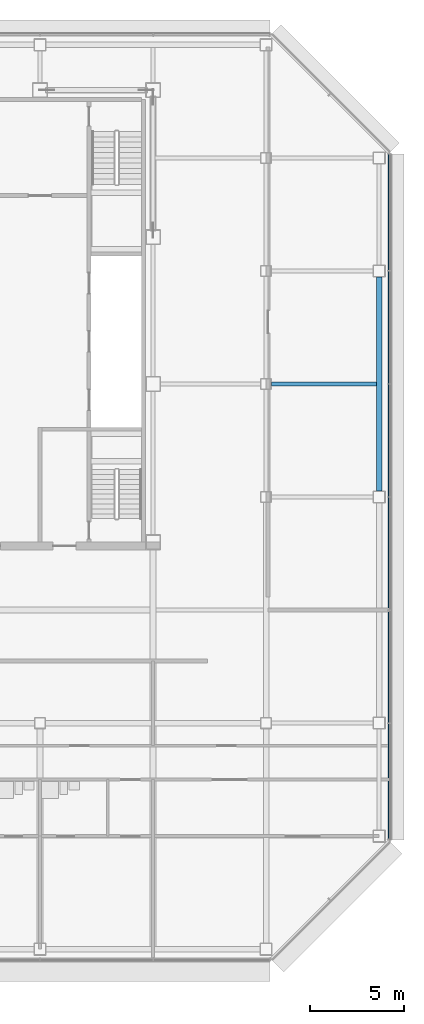
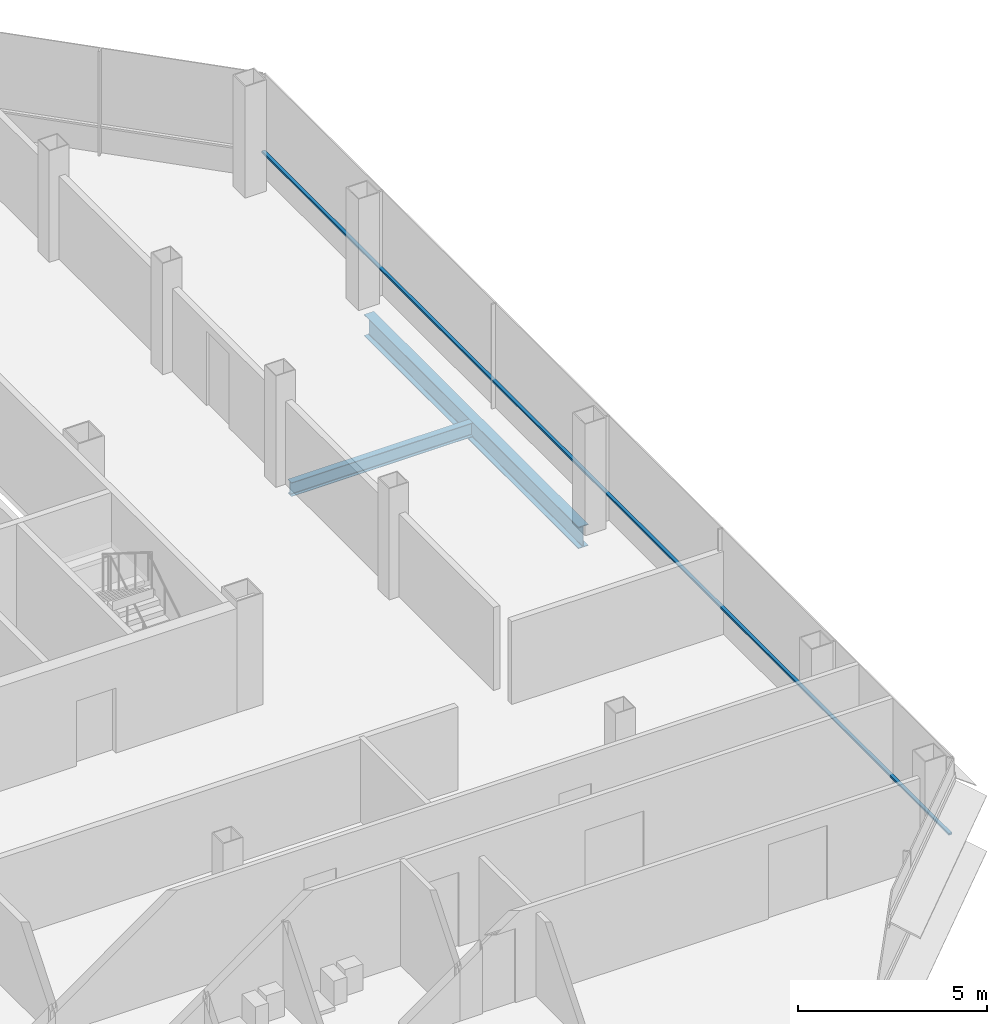
# One storey, part 17 of 27: 2 beams, 1 member, 1 element without a shape of its own.
"""IFC4 building model written with IfcOpenShell, lengths in metres."""

import ifcopenshell
import ifcopenshell.guid

model = None  # the IFC model being written
_history = None  # IfcOwnerHistory: only IFC2X3 demands one
_inside = {}  # id of a spatial element -> (the spatial element, [elements in it])
_under = {}  # id of a project, library or spatial element -> (it, [spatial elements below it])
_declared = {}  # id of a project -> (the project, [libraries it declares])
_typed = {}  # id of a type object -> (the type object, [elements of that type])
_made_of = {}  # id of a material, layer set ... -> (it, [elements and type objects made of it])


def new_model(schema):
    """Start an empty IFC model of exactly this schema.

    Asked for "IFC4X3", IfcOpenShell would pick the latest addendum, in which some entities
    have other attributes; the version numbers below select the first issue.
    IFC2X3 requires an IfcOwnerHistory on every rooted entity: one is made here for all.
    """
    global model, _history
    if schema == "IFC4X3":
        model = ifcopenshell.file(schema_version=(4, 3, 0, 0))
    else:
        model = ifcopenshell.file(schema=schema)
    _inside.clear()
    _under.clear()
    _declared.clear()
    _typed.clear()
    _made_of.clear()
    _history = None
    if model.schema == "IFC2X3":
        org = make("IfcOrganization", Name="unknown")
        user = make(
            "IfcPersonAndOrganization",
            ThePerson=make("IfcPerson", FamilyName="unknown"),
            TheOrganization=org,
        )
        app = make(
            "IfcApplication",
            ApplicationDeveloper=org,
            Version="unknown",
            ApplicationFullName="unknown",
            ApplicationIdentifier="unknown",
        )
        _history = make(
            "IfcOwnerHistory",
            OwningUser=user,
            OwningApplication=app,
            ChangeAction="ADDED",
            CreationDate=0,
        )
    return model


def make(cls, **values):
    """One entity of the class cls with the attributes given. An attribute that is None is left unset."""
    return model.create_entity(
        cls, **{name: value for name, value in values.items() if value is not None}
    )


def rooted(cls, **values):
    """An entity with a GlobalId (a new one), such as an element, a storey or a relation."""
    return make(cls, GlobalId=ifcopenshell.guid.new(), OwnerHistory=_history, **values)


def si_unit(unit_type, name, prefix=None):
    """IfcSIUnit, for example si_unit("LENGTHUNIT", "METRE", prefix="MILLI")."""
    return make("IfcSIUnit", UnitType=unit_type, Prefix=prefix, Name=name)


def assignment(units):
    """IfcUnitAssignment: the units of a project."""
    return None if units is None else make("IfcUnitAssignment", Units=units)


def point(xyz):
    """IfcCartesianPoint."""
    return None if xyz is None else make("IfcCartesianPoint", Coordinates=xyz)


def direction(xyz):
    """IfcDirection."""
    return None if xyz is None else make("IfcDirection", DirectionRatios=xyz)


def frame(location, z_axis=None, x_axis=None):
    """IfcAxis2Placement3D, a coordinate frame: its origin and axes. An axis left out is left unset."""
    return make(
        "IfcAxis2Placement3D",
        Location=point(location),
        Axis=direction(z_axis),
        RefDirection=direction(x_axis),
    )


def frame_2d(location, x_axis=None):
    """IfcAxis2Placement2D, a coordinate frame in the plane: its origin and x axis."""
    return make(
        "IfcAxis2Placement2D", Location=point(location), RefDirection=direction(x_axis)
    )


def origin():
    """The frame at (0, 0, 0) with its axes left unset."""
    return frame((0.0, 0.0, 0.0))


def origin_2d():
    """The frame at (0, 0) in the plane with its x axis left unset."""
    return frame_2d((0.0, 0.0))


def place(relative_to, where):
    """IfcLocalPlacement: puts the frame where relative to a parent placement (None: the world)."""
    return make(
        "IfcLocalPlacement", PlacementRelTo=relative_to, RelativePlacement=where
    )


def context(
    kind, dimensions, precision=None, world=None, true_north=None, identifier=None
):
    """IfcGeometricRepresentationContext, for example the 3D "Model" context."""
    return make(
        "IfcGeometricRepresentationContext",
        ContextIdentifier=identifier,
        ContextType=kind,
        CoordinateSpaceDimension=dimensions,
        Precision=precision,
        WorldCoordinateSystem=world,
        TrueNorth=true_north,
    )


def subcontext(parent, identifier, kind, view, scale=None):
    """IfcGeometricRepresentationSubContext, for example "Body" below "Model"."""
    return make(
        "IfcGeometricRepresentationSubContext",
        ContextIdentifier=identifier,
        ContextType=kind,
        ParentContext=parent,
        TargetScale=scale,
        TargetView=view,
    )


def project(units=None, contexts=None):
    """IfcProject with its units and contexts."""
    return rooted(
        "IfcProject",
        Name="project",
        RepresentationContexts=contexts,
        UnitsInContext=assignment(units),
    )


def spatial(cls, under=None, at=None, **own):
    """A site, building, storey or space (cls), placed at a placement, below another one or the project."""
    s = rooted(cls, ObjectPlacement=at, **own)
    if under is not None:
        _under.setdefault(under.id(), (under, []))[1].append(s)
    return s


def profile(cls, at=None, kind="AREA", **sizes):
    """A parametric profile (cls). Its sizes go by their IFC names, for example OverallWidth=200.0."""
    return make(cls, ProfileType=kind, Position=at, **sizes)


def rectangle(**sizes):
    """IfcRectangleProfileDef."""
    return profile("IfcRectangleProfileDef", **sizes)


def i_section(**sizes):
    """IfcIShapeProfileDef."""
    return profile("IfcIShapeProfileDef", **sizes)


def extrude(swept, where, along, depth):
    """IfcExtrudedAreaSolid: the profile swept, set in the frame where, extruded along a direction by depth."""
    return make(
        "IfcExtrudedAreaSolid",
        SweptArea=swept,
        Position=where,
        ExtrudedDirection=direction(along),
        Depth=depth,
    )


def shape(context_of_items, identifier, shape_type, items):
    """IfcShapeRepresentation: the items that make up one representation, for example the "Body"."""
    return make(
        "IfcShapeRepresentation",
        ContextOfItems=context_of_items,
        RepresentationIdentifier=identifier,
        RepresentationType=shape_type,
        Items=items,
    )


def material(Name=None, Category=None):
    """IfcMaterial."""
    return make("IfcMaterial", Name=Name, Category=Category)


def material_profile(
    of_material, cross_section, Name=None, Category=None, Priority=None
):
    """IfcMaterialProfile: a cross section and its material."""
    return make(
        "IfcMaterialProfile",
        Name=Name,
        Material=of_material,
        Profile=cross_section,
        Priority=Priority,
        Category=Category,
    )


def profile_set(profiles, Name=None, composite=None):
    """IfcMaterialProfileSet."""
    return make(
        "IfcMaterialProfileSet",
        Name=Name,
        MaterialProfiles=profiles,
        CompositeProfile=composite,
    )


def made_of(thing, what):
    """Note that an element or type object is made of a material, layer set ...; save() writes the relation."""
    if what is not None:
        _made_of.setdefault(what.id(), (what, []))[1].append(thing)
    return thing


def type_object(cls, material=None, **own):
    """A type object (cls), such as IfcWallType, which elements share."""
    return made_of(rooted(cls, **own), material)


def element(
    cls,
    number,
    at=None,
    inside=None,
    cuts=None,
    type_object=None,
    material=None,
    context=None,
    identifier="Body",
    shape_type=None,
    held_by="IfcProductDefinitionShape",
    body=None,
    shapes=None,
    **own,
):
    """One element of the class cls, such as IfcWall. Its Tag is "e" and its number.

    at: its placement. inside: the storey or other place that contains it. cuts: it is an
    opening in that element (IfcRelVoidsElement). A single representation is given by context,
    identifier, shape_type and body (its items); several are given by shapes. held_by: the class
    of the entity that holds the representations. save() writes the other relations.
    """
    e = rooted(cls, Tag="e%d" % number, ObjectPlacement=at, **own)
    if body is not None:
        shapes = [shape(context, identifier, shape_type, body)]
    if shapes is not None:
        e.Representation = make(held_by, Representations=shapes)
    if inside is not None:
        _inside.setdefault(inside.id(), (inside, []))[1].append(e)
    if cuts is not None:
        rooted(
            "IfcRelVoidsElement", RelatingBuildingElement=cuts, RelatedOpeningElement=e
        )
    if type_object is not None:
        _typed.setdefault(type_object.id(), (type_object, []))[1].append(e)
    return made_of(e, material)


def aggregate(whole, parts):
    """IfcRelAggregates: a whole, such as a stair, and the parts it consists of."""
    return rooted("IfcRelAggregates", RelatingObject=whole, RelatedObjects=parts)


def save(model, path):
    """Write the relations noted so far, then the file.

    IfcRelAggregates (storeys below a building ...), IfcRelContainedInSpatialStructure (elements
    in a storey), IfcRelDefinesByType, IfcRelAssociatesMaterial and IfcRelDeclares: one each for
    every whole, place, type object, material and project.
    """
    for whole, parts in _under.values():
        aggregate(whole, parts)
    for where, things in _inside.values():
        rooted(
            "IfcRelContainedInSpatialStructure",
            RelatedElements=things,
            RelatingStructure=where,
        )
    for kind, things in _typed.values():
        rooted("IfcRelDefinesByType", RelatedObjects=things, RelatingType=kind)
    for what, things in _made_of.values():
        rooted("IfcRelAssociatesMaterial", RelatedObjects=things, RelatingMaterial=what)
    for by, libraries in _declared.values():
        rooted("IfcRelDeclares", RelatingContext=by, RelatedDefinitions=libraries)
    model.write(path)


model = new_model("IFC4")

# Units and contexts
model_context = context("Model", 3, precision=1e-05, world=origin(), true_north=direction((0.0, 1.0)))
body_context = subcontext(model_context, "Body", "Model", "MODEL_VIEW")
ifc_project = project(units=[si_unit("LENGTHUNIT", "METRE"), si_unit("AREAUNIT", "SQUARE_METRE"), si_unit("VOLUMEUNIT", "CUBIC_METRE"), si_unit("PLANEANGLEUNIT", "RADIAN"), si_unit("MASSUNIT", "GRAM", prefix="KILO")], contexts=[model_context])

# Site, building, storey
site_placement = place(None, origin())
site = spatial("IfcSite", under=ifc_project, at=site_placement, CompositionType="ELEMENT")
building_placement = place(site_placement, origin())
building = spatial("IfcBuilding", under=site, at=building_placement, Name="Sorahane Residences", CompositionType="ELEMENT")
storey_placement = place(building_placement, frame((0.0, 0.0, 206.39990234375)))
storey = spatial("IfcBuildingStorey", under=building, at=storey_placement, Name="L48", CompositionType="ELEMENT", Elevation=206.39990234375)

# Curtain wall, member
ifc_material_1 = material(Name="Dark low-e glass and black anodised aluminium", Category="aluminium")
curtain_wall_type = type_object("IfcCurtainWallType", Name="Curtain wall CW-1 Typical unitised wall", PredefinedType="NOTDEFINED", material=ifc_material_1)
curtain_wall_placement = place(storey_placement, origin())
curtain_wall = element("IfcCurtainWall", 1, at=curtain_wall_placement, inside=storey, type_object=curtain_wall_type, Name="CW-1 curtain wall L48 E1", PredefinedType="NOTDEFINED")
ifc_material_2 = material(Name="Black anodised aluminium", Category="aluminium")
ifc_material_profile_1 = material_profile(ifc_material_2, rectangle(XDim=0.10009765625, YDim=0.06005859375, at=origin_2d()), Name="Curtain wall transom CW-1 black anodised aluminium 60x100")
ifc_profile_set_1 = profile_set([ifc_material_profile_1], Name="Black anodised aluminium")
member_type = type_object("IfcMemberType", Name="Curtain wall transom CW-1 black anodised aluminium 60x100", PredefinedType="USERDEFINED", material=ifc_profile_set_1)
member_placement = place(storey_placement, frame((54.530029296875, 5.801513671875, 0.900146484375), z_axis=(0.0, 1.0, 0.0), x_axis=(-1.0, 0.0, 0.0)))
member = element("IfcMember", 2, at=member_placement, type_object=member_type, Name="CW-1 transom L48 E1", ObjectType="TRANSOM", PredefinedType="USERDEFINED", context=body_context, shape_type="SweptSolid", body=[
    extrude(rectangle(XDim=0.10009765625, YDim=0.06005859375, at=origin_2d()), origin(), (0.0, 0.0, 1.0), 36.39697265625),
])
aggregate(curtain_wall, [member])

# Beams
ifc_material_3 = material(Name="Steel Q355B", Category="steel")
ifc_material_profile_2 = material_profile(ifc_material_3, i_section(OverallWidth=0.199951171875, OverallDepth=0.449951171875, WebThickness=0.009033203125, FlangeThickness=0.013916015625, FilletRadius=0.02001953125, at=origin_2d()), Name="HN 450x200x9x14")
ifc_profile_set_2 = profile_set([ifc_material_profile_2], Name="Steel Q355B")
beam_type_1 = type_object("IfcBeamType", Name="Steel floor beam HN 450x200x9x14 Q355B", PredefinedType="BEAM", material=ifc_profile_set_2)
beam_1_placement = place(storey_placement, frame((48.300048828125, 30.0, -0.40478515625), z_axis=(1.0, 0.0, 0.0), x_axis=(0.0, 1.0, 0.0)))
element("IfcBeam", 3, at=beam_1_placement, inside=storey, type_object=beam_type_1, Name="Beam L48 088", PredefinedType="BEAM", context=body_context, shape_type="SweptSolid", body=[
    extrude(i_section(OverallWidth=0.199951171875, OverallDepth=0.449951171875, WebThickness=0.009033203125, FlangeThickness=0.013916015625, FilletRadius=0.02001953125, at=origin_2d()), origin(), (0.0, 0.0, 1.0), 5.550048828125),
])
ifc_material_4 = material(Name="Steel Q355B", Category="steel")
ifc_material_profile_3 = material_profile(ifc_material_4, i_section(OverallWidth=0.300048828125, OverallDepth=0.699951171875, WebThickness=0.012939453125, FlangeThickness=0.02392578125, FilletRadius=0.028076171875, at=origin_2d()), Name="HN 700x300x13x24")
ifc_profile_set_3 = profile_set([ifc_material_profile_3], Name="Steel Q355B")
beam_type_2 = type_object("IfcBeamType", Name="Steel floor beam HN 700x300x13x24 Q355B", PredefinedType="BEAM", material=ifc_profile_set_3)
beam_2_placement = place(storey_placement, frame((54.0, 24.324951171875, -0.52978515625), z_axis=(0.0, 1.0, 0.0), x_axis=(-1.0, 0.0, 0.0)))
element("IfcBeam", 4, at=beam_2_placement, inside=storey, type_object=beam_type_2, Name="Beam L48 066", PredefinedType="BEAM", context=body_context, shape_type="SweptSolid", body=[
    extrude(i_section(OverallWidth=0.300048828125, OverallDepth=0.699951171875, WebThickness=0.012939453125, FlangeThickness=0.02392578125, FilletRadius=0.028076171875, at=origin_2d()), origin(), (0.0, 0.0, 1.0), 11.35009765625),
])

save(model, "model.ifc")
